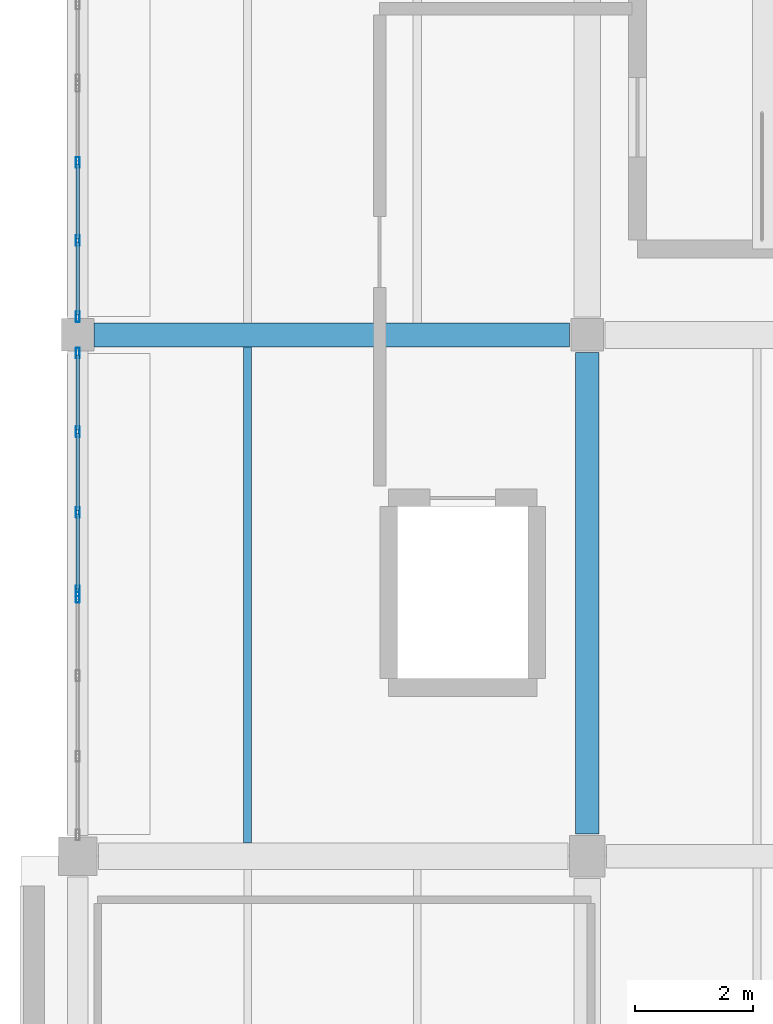
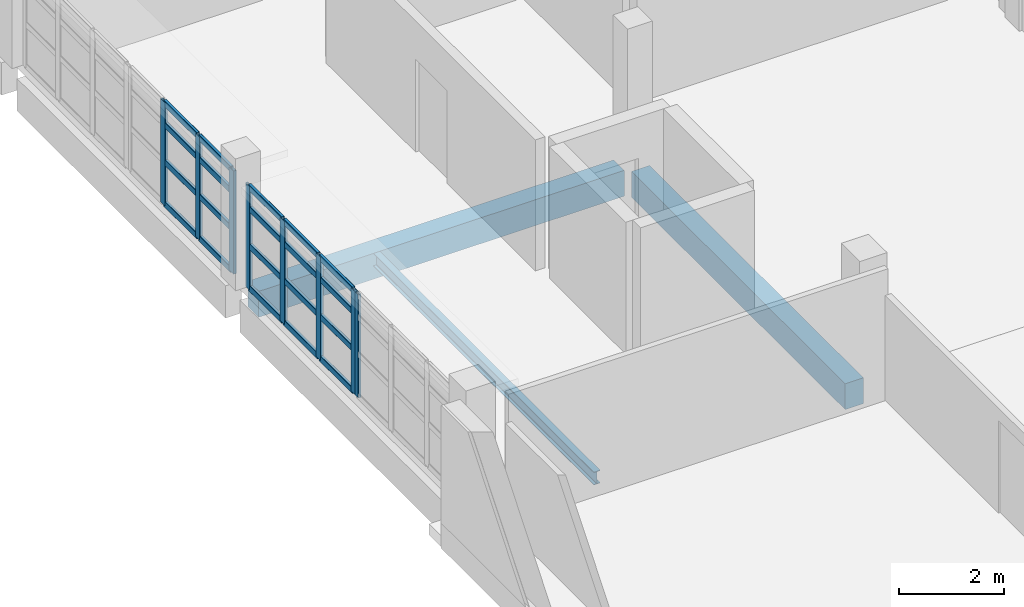
# One storey, part 9 of 34: 28 members, 3 beams, 3 elements without a shape of their own.
"""IFC4 building model written with IfcOpenShell, lengths in metres."""

from ifc_helpers import new_model, si_unit, direction, frame, origin, origin_2d, place, context, subcontext, project, spatial, rectangle, hollow_rectangle, i_section, extrude, material, material_profile, profile_set, type_object, element, aggregate, save


model = new_model("IFC4")

# Units and contexts
model_context = context("Model", 3, precision=1e-05, world=origin(), true_north=direction((0.0, 1.0)))
body_context = subcontext(model_context, "Body", "Model", "MODEL_VIEW")
ifc_project = project(units=[si_unit("LENGTHUNIT", "METRE"), si_unit("AREAUNIT", "SQUARE_METRE"), si_unit("VOLUMEUNIT", "CUBIC_METRE"), si_unit("PLANEANGLEUNIT", "RADIAN"), si_unit("MASSUNIT", "GRAM", prefix="KILO")], contexts=[model_context])

# Site, building, storey
site_placement = place(None, origin())
site = spatial("IfcSite", under=ifc_project, at=site_placement, CompositionType="ELEMENT")
building_placement = place(site_placement, origin())
building = spatial("IfcBuilding", under=site, at=building_placement, Name="Varnakota Cinema and Media Centre", CompositionType="ELEMENT")
storey_placement = place(building_placement, frame((0.0, 0.0, 19.050048828125)))
storey = spatial("IfcBuildingStorey", under=building, at=storey_placement, Name="L05", CompositionType="ELEMENT", Elevation=19.050048828125)

# Beams
ifc_material_1 = material(Name="Concrete M35", Category="concrete")
ifc_material_profile_1 = material_profile(ifc_material_1, rectangle(XDim=0.39990234375, YDim=0.60009765625, at=origin_2d()), Name="RCB 400x600")
ifc_profile_set_1 = profile_set([ifc_material_profile_1], Name="Concrete M35")
beam_type_1 = type_object("IfcBeamType", Name="BM-RC-400x600", PredefinedType="BEAM", material=ifc_profile_set_1)
beam_1_placement = place(storey_placement, frame((0.27490234375, 44.0, -0.550048828125), z_axis=(1.0, 0.0, 0.0), x_axis=(0.0, 1.0, 0.0)))
element("IfcBeam", 1, at=beam_1_placement, inside=storey, type_object=beam_type_1, Name="L05 girder A-B/6", PredefinedType="BEAM", context=body_context, shape_type="SweptSolid", body=[
    extrude(rectangle(XDim=0.39990234375, YDim=0.60009765625, at=origin_2d()), origin(), (0.0, 0.0, 1.0), 8.025146484375),
])
beam_2_placement = place(storey_placement, frame((8.60009765625, 35.574951171875, -0.550048828125), z_axis=(0.0, 1.0, 0.0), x_axis=(-1.0, 0.0, 0.0)))
element("IfcBeam", 2, at=beam_2_placement, inside=storey, type_object=beam_type_1, Name="L05 girder B/5-6", PredefinedType="BEAM", context=body_context, shape_type="SweptSolid", body=[
    extrude(rectangle(XDim=0.39990234375, YDim=0.60009765625, at=origin_2d()), origin(), (0.0, 0.0, 1.0), 8.125),
])
ifc_material_2 = material(Name="Structural steel Grade 350 (E350)", Category="steel")
ifc_material_profile_2 = material_profile(ifc_material_2, i_section(OverallWidth=0.139892578125, OverallDepth=0.300048828125, WebThickness=0.0078125, FlangeThickness=0.01318359375, FilletRadius=0.013916015625, at=origin_2d()), Name="ISMB 300")
ifc_profile_set_2 = profile_set([ifc_material_profile_2], Name="Structural steel Grade 350 (E350)")
beam_type_2 = type_object("IfcBeamType", Name="BM-ST-ISMB300", PredefinedType="JOIST", material=ifc_profile_set_2)
beam_3_placement = place(storey_placement, frame((2.86669921875, 35.425048828125, -0.400146484375), z_axis=(0.0, 1.0, 0.0), x_axis=(-1.0, 0.0, 0.0)))
element("IfcBeam", 3, at=beam_3_placement, inside=storey, type_object=beam_type_2, Name="L05 steel joist A-B/5-6 #1", PredefinedType="JOIST", context=body_context, shape_type="SweptSolid", body=[
    extrude(i_section(OverallWidth=0.139892578125, OverallDepth=0.300048828125, WebThickness=0.0078125, FlangeThickness=0.01318359375, FilletRadius=0.013916015625, at=origin_2d()), origin(), (0.0, 0.0, 1.0), 8.375),
])

# Curtain wall, members
ifc_material_3 = material(Name="Thermally broken anodised aluminium AW-6063", Category="aluminium")
curtain_wall_type_1 = type_object("IfcCurtainWallType", Name="CW-STD-396x240", PredefinedType="USERDEFINED", material=ifc_material_3)
curtain_wall_1_placement = place(storey_placement, origin())
curtain_wall_1 = element("IfcCurtainWall", 4, at=curtain_wall_1_placement, inside=storey, type_object=curtain_wall_type_1, Name="L05 curtain wall CW-L05-V5-W-02-2", ObjectType="UNITISED CURTAIN WALL", PredefinedType="USERDEFINED")
ifc_material_4 = material(Name="Thermally broken anodised aluminium AW-6063", Category="aluminium")
ifc_material_profile_3 = material_profile(ifc_material_4, hollow_rectangle(XDim=0.06494140625, YDim=0.179931640625, WallThickness=0.00390625, InnerFilletRadius=0.00390625, OuterFilletRadius=0.008056640625, at=origin_2d()), Name="AL-MULLION 180x65x4")
ifc_profile_set_3 = profile_set([ifc_material_profile_3], Name="Thermally broken anodised aluminium AW-6063")
member_type_1 = type_object("IfcMemberType", Name="CWM-AL-180", PredefinedType="MULLION", material=ifc_profile_set_3)
member_1_placement = place(storey_placement, frame((0.0, 46.91162109375, 0.0), z_axis=(0.0, 0.0, 1.0), x_axis=(1.0, 0.0, 0.0)))
member_1 = element("IfcMember", 5, at=member_1_placement, type_object=member_type_1, Name="CW56 mullion 2", PredefinedType="MULLION", context=body_context, shape_type="SweptSolid", body=[
    extrude(hollow_rectangle(XDim=0.06494140625, YDim=0.179931640625, WallThickness=0.00390625, InnerFilletRadius=0.00390625, OuterFilletRadius=0.008056640625, at=origin_2d()), origin(), (0.0, 0.0, 1.0), 2.39501953125),
])
member_2_placement = place(storey_placement, frame((0.0, 45.59326171875, 0.0), z_axis=(0.0, 0.0, 1.0), x_axis=(1.0, 0.0, 0.0)))
member_2 = element("IfcMember", 6, at=member_2_placement, type_object=member_type_1, Name="CW56 mullion 3", PredefinedType="MULLION", context=body_context, shape_type="SweptSolid", body=[
    extrude(hollow_rectangle(XDim=0.06494140625, YDim=0.179931640625, WallThickness=0.00390625, InnerFilletRadius=0.00390625, OuterFilletRadius=0.008056640625, at=origin_2d()), origin(), (0.0, 0.0, 1.0), 2.39501953125),
])
member_3_placement = place(storey_placement, frame((0.0, 44.3076171875, 0.0), z_axis=(0.0, 0.0, 1.0), x_axis=(1.0, 0.0, 0.0)))
member_3 = element("IfcMember", 7, at=member_3_placement, type_object=member_type_1, Name="CW56 mullion 4", PredefinedType="MULLION", context=body_context, shape_type="SweptSolid", body=[
    extrude(hollow_rectangle(XDim=0.06494140625, YDim=0.179931640625, WallThickness=0.00390625, InnerFilletRadius=0.00390625, OuterFilletRadius=0.008056640625, at=origin_2d()), origin(), (0.0, 0.0, 1.0), 2.39501953125),
])

ifc_material_5 = material(Name="Thermally broken anodised aluminium AW-6063", Category="aluminium")
curtain_wall_type_2 = type_object("IfcCurtainWallType", Name="CW-STD-408x240", PredefinedType="USERDEFINED", material=ifc_material_5)
curtain_wall_2_placement = place(storey_placement, origin())
curtain_wall_2 = element("IfcCurtainWall", 8, at=curtain_wall_2_placement, inside=storey, type_object=curtain_wall_type_2, Name="L05 curtain wall CW-L05-V5-W-03-1", ObjectType="UNITISED CURTAIN WALL", PredefinedType="USERDEFINED")
member_4_placement = place(storey_placement, frame((0.0, 43.6923828125, 0.0), z_axis=(0.0, 0.0, 1.0), x_axis=(1.0, 0.0, 0.0)))
member_4 = element("IfcMember", 9, at=member_4_placement, type_object=member_type_1, Name="CW57 mullion 1", PredefinedType="MULLION", context=body_context, shape_type="SweptSolid", body=[
    extrude(hollow_rectangle(XDim=0.06494140625, YDim=0.179931640625, WallThickness=0.00390625, InnerFilletRadius=0.00390625, OuterFilletRadius=0.008056640625, at=origin_2d()), origin(), (0.0, 0.0, 1.0), 2.39501953125),
])
member_5_placement = place(storey_placement, frame((0.0, 42.364990234375, 0.0), z_axis=(0.0, 0.0, 1.0), x_axis=(1.0, 0.0, 0.0)))
member_5 = element("IfcMember", 10, at=member_5_placement, type_object=member_type_1, Name="CW57 mullion 2", PredefinedType="MULLION", context=body_context, shape_type="SweptSolid", body=[
    extrude(hollow_rectangle(XDim=0.06494140625, YDim=0.179931640625, WallThickness=0.00390625, InnerFilletRadius=0.00390625, OuterFilletRadius=0.008056640625, at=origin_2d()), origin(), (0.0, 0.0, 1.0), 2.39501953125),
])
member_6_placement = place(storey_placement, frame((0.0, 41.0048828125, 0.0), z_axis=(0.0, 0.0, 1.0), x_axis=(1.0, 0.0, 0.0)))
member_6 = element("IfcMember", 11, at=member_6_placement, type_object=member_type_1, Name="CW57 mullion 3", PredefinedType="MULLION", context=body_context, shape_type="SweptSolid", body=[
    extrude(hollow_rectangle(XDim=0.06494140625, YDim=0.179931640625, WallThickness=0.00390625, InnerFilletRadius=0.00390625, OuterFilletRadius=0.008056640625, at=origin_2d()), origin(), (0.0, 0.0, 1.0), 2.39501953125),
])
member_7_placement = place(storey_placement, frame((0.0, 39.677490234375, 0.0), z_axis=(0.0, 0.0, 1.0), x_axis=(1.0, 0.0, 0.0)))
member_7 = element("IfcMember", 12, at=member_7_placement, type_object=member_type_1, Name="CW57 mullion 4", PredefinedType="MULLION", context=body_context, shape_type="SweptSolid", body=[
    extrude(hollow_rectangle(XDim=0.06494140625, YDim=0.179931640625, WallThickness=0.00390625, InnerFilletRadius=0.00390625, OuterFilletRadius=0.008056640625, at=origin_2d()), origin(), (0.0, 0.0, 1.0), 2.39501953125),
])

# Curtain wall, member
curtain_wall_3_placement = place(storey_placement, origin())
curtain_wall_3 = element("IfcCurtainWall", 13, at=curtain_wall_3_placement, inside=storey, type_object=curtain_wall_type_2, Name="L05 curtain wall CW-L05-V5-W-03-2", ObjectType="UNITISED CURTAIN WALL", PredefinedType="USERDEFINED")
member_8_placement = place(storey_placement, frame((0.0, 39.572509765625, 0.0), z_axis=(0.0, 0.0, 1.0), x_axis=(1.0, 0.0, 0.0)))
member_8 = element("IfcMember", 14, at=member_8_placement, type_object=member_type_1, Name="CW57 mullion 1", PredefinedType="MULLION", context=body_context, shape_type="SweptSolid", body=[
    extrude(hollow_rectangle(XDim=0.06494140625, YDim=0.179931640625, WallThickness=0.00390625, InnerFilletRadius=0.00390625, OuterFilletRadius=0.008056640625, at=origin_2d()), origin(), (0.0, 0.0, 1.0), 2.39501953125),
])
aggregate(curtain_wall_3, [member_8])

# Member
ifc_material_6 = material(Name="Thermally broken anodised aluminium AW-6063", Category="aluminium")
ifc_material_profile_4 = material_profile(ifc_material_6, hollow_rectangle(XDim=0.06494140625, YDim=0.139892578125, WallThickness=0.00390625, InnerFilletRadius=0.00390625, OuterFilletRadius=0.008056640625, at=origin_2d()), Name="AL-TRANSOM 140x65x4")
ifc_profile_set_4 = profile_set([ifc_material_profile_4], Name="Thermally broken anodised aluminium AW-6063")
member_type_2 = type_object("IfcMemberType", Name="CWT-AL-140", PredefinedType="USERDEFINED", material=ifc_profile_set_4)
member_9_placement = place(storey_placement, frame((0.0, 46.879150390625, 0.032470703125), z_axis=(0.0, -1.0, 0.0), x_axis=(1.0, 0.0, 0.0)))
member_9 = element("IfcMember", 15, at=member_9_placement, type_object=member_type_2, Name="CW56 transom 2.1", ObjectType="TRANSOM", PredefinedType="USERDEFINED", context=body_context, shape_type="SweptSolid", body=[
    extrude(hollow_rectangle(XDim=0.06494140625, YDim=0.139892578125, WallThickness=0.00390625, InnerFilletRadius=0.00390625, OuterFilletRadius=0.008056640625, at=origin_2d()), origin(), (0.0, 0.0, 1.0), 1.25341796875),
])

member_10_placement = place(storey_placement, frame((0.0, 46.879150390625, 1.005859375), z_axis=(0.0, -1.0, 0.0), x_axis=(1.0, 0.0, 0.0)))
member_10 = element("IfcMember", 16, at=member_10_placement, type_object=member_type_2, Name="CW56 transom 2.2", ObjectType="TRANSOM", PredefinedType="USERDEFINED", context=body_context, shape_type="SweptSolid", body=[
    extrude(hollow_rectangle(XDim=0.06494140625, YDim=0.139892578125, WallThickness=0.00390625, InnerFilletRadius=0.00390625, OuterFilletRadius=0.008056640625, at=origin_2d()), origin(), (0.0, 0.0, 1.0), 1.25341796875),
])

member_11_placement = place(storey_placement, frame((0.0, 46.879150390625, 1.8681640625), z_axis=(0.0, -1.0, 0.0), x_axis=(1.0, 0.0, 0.0)))
member_11 = element("IfcMember", 17, at=member_11_placement, type_object=member_type_2, Name="CW56 transom 2.3", ObjectType="TRANSOM", PredefinedType="USERDEFINED", context=body_context, shape_type="SweptSolid", body=[
    extrude(hollow_rectangle(XDim=0.06494140625, YDim=0.139892578125, WallThickness=0.00390625, InnerFilletRadius=0.00390625, OuterFilletRadius=0.008056640625, at=origin_2d()), origin(), (0.0, 0.0, 1.0), 1.25341796875),
])

member_12_placement = place(storey_placement, frame((0.0, 46.879150390625, 2.362548828125), z_axis=(0.0, -1.0, 0.0), x_axis=(1.0, 0.0, 0.0)))
member_12 = element("IfcMember", 18, at=member_12_placement, type_object=member_type_2, Name="CW56 transom 2.4", ObjectType="TRANSOM", PredefinedType="USERDEFINED", context=body_context, shape_type="SweptSolid", body=[
    extrude(hollow_rectangle(XDim=0.06494140625, YDim=0.139892578125, WallThickness=0.00390625, InnerFilletRadius=0.00390625, OuterFilletRadius=0.008056640625, at=origin_2d()), origin(), (0.0, 0.0, 1.0), 1.25341796875),
])

member_13_placement = place(storey_placement, frame((0.0, 45.560791015625, 0.032470703125), z_axis=(0.0, -1.0, 0.0), x_axis=(1.0, 0.0, 0.0)))
member_13 = element("IfcMember", 19, at=member_13_placement, type_object=member_type_2, Name="CW56 transom 3.1", ObjectType="TRANSOM", PredefinedType="USERDEFINED", context=body_context, shape_type="SweptSolid", body=[
    extrude(hollow_rectangle(XDim=0.06494140625, YDim=0.139892578125, WallThickness=0.00390625, InnerFilletRadius=0.00390625, OuterFilletRadius=0.008056640625, at=origin_2d()), origin(), (0.0, 0.0, 1.0), 1.220703125),
])

member_14_placement = place(storey_placement, frame((0.0, 45.560791015625, 1.005859375), z_axis=(0.0, -1.0, 0.0), x_axis=(1.0, 0.0, 0.0)))
member_14 = element("IfcMember", 20, at=member_14_placement, type_object=member_type_2, Name="CW56 transom 3.2", ObjectType="TRANSOM", PredefinedType="USERDEFINED", context=body_context, shape_type="SweptSolid", body=[
    extrude(hollow_rectangle(XDim=0.06494140625, YDim=0.139892578125, WallThickness=0.00390625, InnerFilletRadius=0.00390625, OuterFilletRadius=0.008056640625, at=origin_2d()), origin(), (0.0, 0.0, 1.0), 1.220703125),
])

member_15_placement = place(storey_placement, frame((0.0, 45.560791015625, 1.8681640625), z_axis=(0.0, -1.0, 0.0), x_axis=(1.0, 0.0, 0.0)))
member_15 = element("IfcMember", 21, at=member_15_placement, type_object=member_type_2, Name="CW56 transom 3.3", ObjectType="TRANSOM", PredefinedType="USERDEFINED", context=body_context, shape_type="SweptSolid", body=[
    extrude(hollow_rectangle(XDim=0.06494140625, YDim=0.139892578125, WallThickness=0.00390625, InnerFilletRadius=0.00390625, OuterFilletRadius=0.008056640625, at=origin_2d()), origin(), (0.0, 0.0, 1.0), 1.220703125),
])

member_16_placement = place(storey_placement, frame((0.0, 45.560791015625, 2.362548828125), z_axis=(0.0, -1.0, 0.0), x_axis=(1.0, 0.0, 0.0)))
member_16 = element("IfcMember", 22, at=member_16_placement, type_object=member_type_2, Name="CW56 transom 3.4", ObjectType="TRANSOM", PredefinedType="USERDEFINED", context=body_context, shape_type="SweptSolid", body=[
    extrude(hollow_rectangle(XDim=0.06494140625, YDim=0.139892578125, WallThickness=0.00390625, InnerFilletRadius=0.00390625, OuterFilletRadius=0.008056640625, at=origin_2d()), origin(), (0.0, 0.0, 1.0), 1.220703125),
])

aggregate(curtain_wall_1, [member_1, member_2, member_3, member_9, member_10, member_11, member_12, member_13, member_14, member_15, member_16])

member_17_placement = place(storey_placement, frame((0.0, 43.659912109375, 0.032470703125), z_axis=(0.0, -1.0, 0.0), x_axis=(1.0, 0.0, 0.0)))
member_17 = element("IfcMember", 23, at=member_17_placement, type_object=member_type_2, Name="CW57 transom 1.1", ObjectType="TRANSOM", PredefinedType="USERDEFINED", context=body_context, shape_type="SweptSolid", body=[
    extrude(hollow_rectangle(XDim=0.06494140625, YDim=0.139892578125, WallThickness=0.00390625, InnerFilletRadius=0.00390625, OuterFilletRadius=0.008056640625, at=origin_2d()), origin(), (0.0, 0.0, 1.0), 1.262451171875),
])

member_18_placement = place(storey_placement, frame((0.0, 43.659912109375, 1.005859375), z_axis=(0.0, -1.0, 0.0), x_axis=(1.0, 0.0, 0.0)))
member_18 = element("IfcMember", 24, at=member_18_placement, type_object=member_type_2, Name="CW57 transom 1.2", ObjectType="TRANSOM", PredefinedType="USERDEFINED", context=body_context, shape_type="SweptSolid", body=[
    extrude(hollow_rectangle(XDim=0.06494140625, YDim=0.139892578125, WallThickness=0.00390625, InnerFilletRadius=0.00390625, OuterFilletRadius=0.008056640625, at=origin_2d()), origin(), (0.0, 0.0, 1.0), 1.262451171875),
])

member_19_placement = place(storey_placement, frame((0.0, 43.659912109375, 1.8681640625), z_axis=(0.0, -1.0, 0.0), x_axis=(1.0, 0.0, 0.0)))
member_19 = element("IfcMember", 25, at=member_19_placement, type_object=member_type_2, Name="CW57 transom 1.3", ObjectType="TRANSOM", PredefinedType="USERDEFINED", context=body_context, shape_type="SweptSolid", body=[
    extrude(hollow_rectangle(XDim=0.06494140625, YDim=0.139892578125, WallThickness=0.00390625, InnerFilletRadius=0.00390625, OuterFilletRadius=0.008056640625, at=origin_2d()), origin(), (0.0, 0.0, 1.0), 1.262451171875),
])

member_20_placement = place(storey_placement, frame((0.0, 43.659912109375, 2.362548828125), z_axis=(0.0, -1.0, 0.0), x_axis=(1.0, 0.0, 0.0)))
member_20 = element("IfcMember", 26, at=member_20_placement, type_object=member_type_2, Name="CW57 transom 1.4", ObjectType="TRANSOM", PredefinedType="USERDEFINED", context=body_context, shape_type="SweptSolid", body=[
    extrude(hollow_rectangle(XDim=0.06494140625, YDim=0.139892578125, WallThickness=0.00390625, InnerFilletRadius=0.00390625, OuterFilletRadius=0.008056640625, at=origin_2d()), origin(), (0.0, 0.0, 1.0), 1.262451171875),
])

member_21_placement = place(storey_placement, frame((0.0, 42.33251953125, 0.032470703125), z_axis=(0.0, -1.0, 0.0), x_axis=(1.0, 0.0, 0.0)))
member_21 = element("IfcMember", 27, at=member_21_placement, type_object=member_type_2, Name="CW57 transom 2.1", ObjectType="TRANSOM", PredefinedType="USERDEFINED", context=body_context, shape_type="SweptSolid", body=[
    extrude(hollow_rectangle(XDim=0.06494140625, YDim=0.139892578125, WallThickness=0.00390625, InnerFilletRadius=0.00390625, OuterFilletRadius=0.008056640625, at=origin_2d()), origin(), (0.0, 0.0, 1.0), 1.294921875),
])

member_22_placement = place(storey_placement, frame((0.0, 42.33251953125, 1.005859375), z_axis=(0.0, -1.0, 0.0), x_axis=(1.0, 0.0, 0.0)))
member_22 = element("IfcMember", 28, at=member_22_placement, type_object=member_type_2, Name="CW57 transom 2.2", ObjectType="TRANSOM", PredefinedType="USERDEFINED", context=body_context, shape_type="SweptSolid", body=[
    extrude(hollow_rectangle(XDim=0.06494140625, YDim=0.139892578125, WallThickness=0.00390625, InnerFilletRadius=0.00390625, OuterFilletRadius=0.008056640625, at=origin_2d()), origin(), (0.0, 0.0, 1.0), 1.294921875),
])

member_23_placement = place(storey_placement, frame((0.0, 42.33251953125, 1.8681640625), z_axis=(0.0, -1.0, 0.0), x_axis=(1.0, 0.0, 0.0)))
member_23 = element("IfcMember", 29, at=member_23_placement, type_object=member_type_2, Name="CW57 transom 2.3", ObjectType="TRANSOM", PredefinedType="USERDEFINED", context=body_context, shape_type="SweptSolid", body=[
    extrude(hollow_rectangle(XDim=0.06494140625, YDim=0.139892578125, WallThickness=0.00390625, InnerFilletRadius=0.00390625, OuterFilletRadius=0.008056640625, at=origin_2d()), origin(), (0.0, 0.0, 1.0), 1.294921875),
])

member_24_placement = place(storey_placement, frame((0.0, 42.33251953125, 2.362548828125), z_axis=(0.0, -1.0, 0.0), x_axis=(1.0, 0.0, 0.0)))
member_24 = element("IfcMember", 30, at=member_24_placement, type_object=member_type_2, Name="CW57 transom 2.4", ObjectType="TRANSOM", PredefinedType="USERDEFINED", context=body_context, shape_type="SweptSolid", body=[
    extrude(hollow_rectangle(XDim=0.06494140625, YDim=0.139892578125, WallThickness=0.00390625, InnerFilletRadius=0.00390625, OuterFilletRadius=0.008056640625, at=origin_2d()), origin(), (0.0, 0.0, 1.0), 1.294921875),
])

member_25_placement = place(storey_placement, frame((0.0, 40.972412109375, 0.032470703125), z_axis=(0.0, -1.0, 0.0), x_axis=(1.0, 0.0, 0.0)))
member_25 = element("IfcMember", 31, at=member_25_placement, type_object=member_type_2, Name="CW57 transom 3.1", ObjectType="TRANSOM", PredefinedType="USERDEFINED", context=body_context, shape_type="SweptSolid", body=[
    extrude(hollow_rectangle(XDim=0.06494140625, YDim=0.139892578125, WallThickness=0.00390625, InnerFilletRadius=0.00390625, OuterFilletRadius=0.008056640625, at=origin_2d()), origin(), (0.0, 0.0, 1.0), 1.262451171875),
])

member_26_placement = place(storey_placement, frame((0.0, 40.972412109375, 1.005859375), z_axis=(0.0, -1.0, 0.0), x_axis=(1.0, 0.0, 0.0)))
member_26 = element("IfcMember", 32, at=member_26_placement, type_object=member_type_2, Name="CW57 transom 3.2", ObjectType="TRANSOM", PredefinedType="USERDEFINED", context=body_context, shape_type="SweptSolid", body=[
    extrude(hollow_rectangle(XDim=0.06494140625, YDim=0.139892578125, WallThickness=0.00390625, InnerFilletRadius=0.00390625, OuterFilletRadius=0.008056640625, at=origin_2d()), origin(), (0.0, 0.0, 1.0), 1.262451171875),
])

member_27_placement = place(storey_placement, frame((0.0, 40.972412109375, 1.8681640625), z_axis=(0.0, -1.0, 0.0), x_axis=(1.0, 0.0, 0.0)))
member_27 = element("IfcMember", 33, at=member_27_placement, type_object=member_type_2, Name="CW57 transom 3.3", ObjectType="TRANSOM", PredefinedType="USERDEFINED", context=body_context, shape_type="SweptSolid", body=[
    extrude(hollow_rectangle(XDim=0.06494140625, YDim=0.139892578125, WallThickness=0.00390625, InnerFilletRadius=0.00390625, OuterFilletRadius=0.008056640625, at=origin_2d()), origin(), (0.0, 0.0, 1.0), 1.262451171875),
])

member_28_placement = place(storey_placement, frame((0.0, 40.972412109375, 2.362548828125), z_axis=(0.0, -1.0, 0.0), x_axis=(1.0, 0.0, 0.0)))
member_28 = element("IfcMember", 34, at=member_28_placement, type_object=member_type_2, Name="CW57 transom 3.4", ObjectType="TRANSOM", PredefinedType="USERDEFINED", context=body_context, shape_type="SweptSolid", body=[
    extrude(hollow_rectangle(XDim=0.06494140625, YDim=0.139892578125, WallThickness=0.00390625, InnerFilletRadius=0.00390625, OuterFilletRadius=0.008056640625, at=origin_2d()), origin(), (0.0, 0.0, 1.0), 1.262451171875),
])

aggregate(curtain_wall_2, [member_4, member_5, member_6, member_7, member_17, member_18, member_19, member_20, member_21, member_22, member_23, member_24, member_25, member_26, member_27, member_28])

save(model, "model.ifc")
